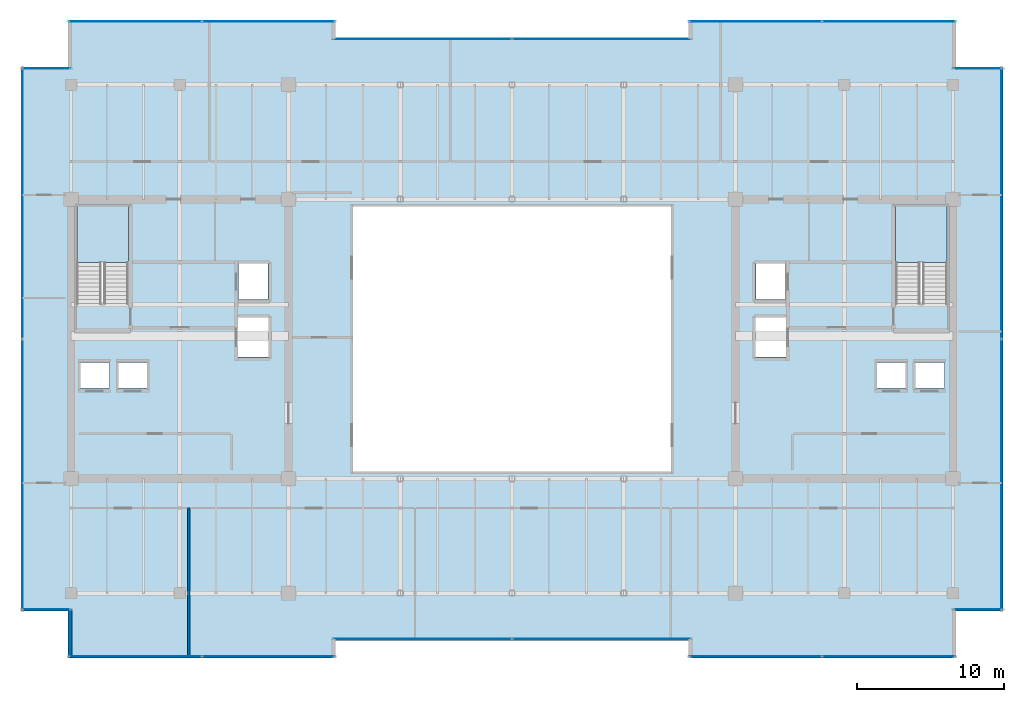
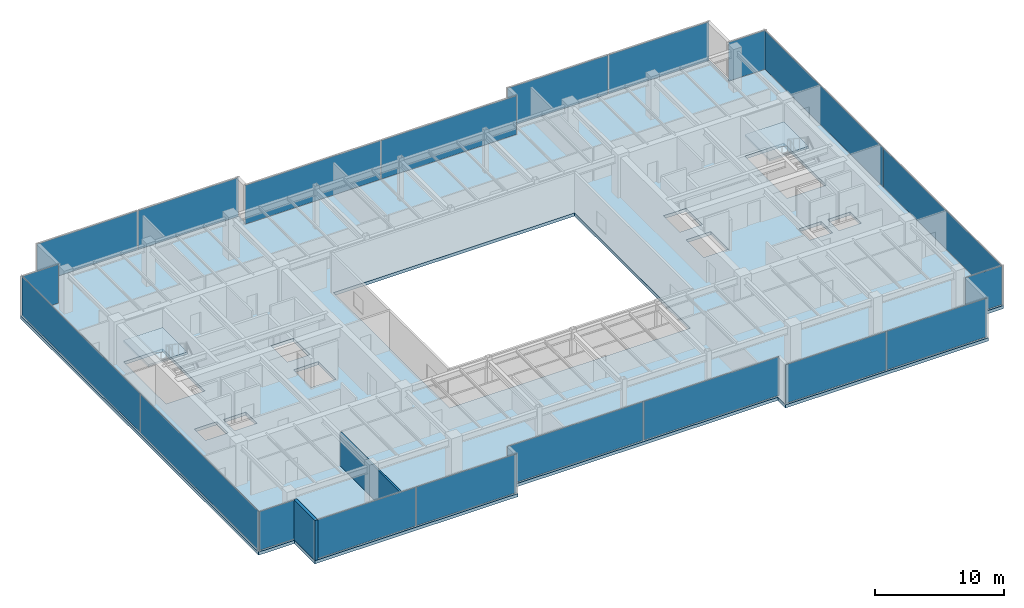
# One storey, part 27 of 33: 20 plates, 3 slabs, 2 walls, 14 elements without a shape of their own.
"""IFC4 building model written with IfcOpenShell, lengths in metres."""

import ifcopenshell
import ifcopenshell.guid

model = None  # the IFC model being written
_history = None  # IfcOwnerHistory: only IFC2X3 demands one
_inside = {}  # id of a spatial element -> (the spatial element, [elements in it])
_under = {}  # id of a project, library or spatial element -> (it, [spatial elements below it])
_declared = {}  # id of a project -> (the project, [libraries it declares])
_typed = {}  # id of a type object -> (the type object, [elements of that type])
_made_of = {}  # id of a material, layer set ... -> (it, [elements and type objects made of it])


def new_model(schema):
    """Start an empty IFC model of exactly this schema.

    Asked for "IFC4X3", IfcOpenShell would pick the latest addendum, in which some entities
    have other attributes; the version numbers below select the first issue.
    IFC2X3 requires an IfcOwnerHistory on every rooted entity: one is made here for all.
    """
    global model, _history
    if schema == "IFC4X3":
        model = ifcopenshell.file(schema_version=(4, 3, 0, 0))
    else:
        model = ifcopenshell.file(schema=schema)
    _inside.clear()
    _under.clear()
    _declared.clear()
    _typed.clear()
    _made_of.clear()
    _history = None
    if model.schema == "IFC2X3":
        org = make("IfcOrganization", Name="unknown")
        user = make(
            "IfcPersonAndOrganization",
            ThePerson=make("IfcPerson", FamilyName="unknown"),
            TheOrganization=org,
        )
        app = make(
            "IfcApplication",
            ApplicationDeveloper=org,
            Version="unknown",
            ApplicationFullName="unknown",
            ApplicationIdentifier="unknown",
        )
        _history = make(
            "IfcOwnerHistory",
            OwningUser=user,
            OwningApplication=app,
            ChangeAction="ADDED",
            CreationDate=0,
        )
    return model


def make(cls, **values):
    """One entity of the class cls with the attributes given. An attribute that is None is left unset."""
    return model.create_entity(
        cls, **{name: value for name, value in values.items() if value is not None}
    )


def rooted(cls, **values):
    """An entity with a GlobalId (a new one), such as an element, a storey or a relation."""
    return make(cls, GlobalId=ifcopenshell.guid.new(), OwnerHistory=_history, **values)


def si_unit(unit_type, name, prefix=None):
    """IfcSIUnit, for example si_unit("LENGTHUNIT", "METRE", prefix="MILLI")."""
    return make("IfcSIUnit", UnitType=unit_type, Prefix=prefix, Name=name)


def assignment(units):
    """IfcUnitAssignment: the units of a project."""
    return None if units is None else make("IfcUnitAssignment", Units=units)


def point(xyz):
    """IfcCartesianPoint."""
    return None if xyz is None else make("IfcCartesianPoint", Coordinates=xyz)


def direction(xyz):
    """IfcDirection."""
    return None if xyz is None else make("IfcDirection", DirectionRatios=xyz)


def frame(location, z_axis=None, x_axis=None):
    """IfcAxis2Placement3D, a coordinate frame: its origin and axes. An axis left out is left unset."""
    return make(
        "IfcAxis2Placement3D",
        Location=point(location),
        Axis=direction(z_axis),
        RefDirection=direction(x_axis),
    )


def frame_2d(location, x_axis=None):
    """IfcAxis2Placement2D, a coordinate frame in the plane: its origin and x axis."""
    return make(
        "IfcAxis2Placement2D", Location=point(location), RefDirection=direction(x_axis)
    )


def origin():
    """The frame at (0, 0, 0) with its axes left unset."""
    return frame((0.0, 0.0, 0.0))


def origin_2d():
    """The frame at (0, 0) in the plane with its x axis left unset."""
    return frame_2d((0.0, 0.0))


def place(relative_to, where):
    """IfcLocalPlacement: puts the frame where relative to a parent placement (None: the world)."""
    return make(
        "IfcLocalPlacement", PlacementRelTo=relative_to, RelativePlacement=where
    )


def context(
    kind, dimensions, precision=None, world=None, true_north=None, identifier=None
):
    """IfcGeometricRepresentationContext, for example the 3D "Model" context."""
    return make(
        "IfcGeometricRepresentationContext",
        ContextIdentifier=identifier,
        ContextType=kind,
        CoordinateSpaceDimension=dimensions,
        Precision=precision,
        WorldCoordinateSystem=world,
        TrueNorth=true_north,
    )


def subcontext(parent, identifier, kind, view, scale=None):
    """IfcGeometricRepresentationSubContext, for example "Body" below "Model"."""
    return make(
        "IfcGeometricRepresentationSubContext",
        ContextIdentifier=identifier,
        ContextType=kind,
        ParentContext=parent,
        TargetScale=scale,
        TargetView=view,
    )


def project(units=None, contexts=None):
    """IfcProject with its units and contexts."""
    return rooted(
        "IfcProject",
        Name="project",
        RepresentationContexts=contexts,
        UnitsInContext=assignment(units),
    )


def spatial(cls, under=None, at=None, **own):
    """A site, building, storey or space (cls), placed at a placement, below another one or the project."""
    s = rooted(cls, ObjectPlacement=at, **own)
    if under is not None:
        _under.setdefault(under.id(), (under, []))[1].append(s)
    return s


def polyline(points):
    """IfcPolyline through the points."""
    return make("IfcPolyline", Points=[point(p) for p in points])


def profile(cls, at=None, kind="AREA", **sizes):
    """A parametric profile (cls). Its sizes go by their IFC names, for example OverallWidth=200.0."""
    return make(cls, ProfileType=kind, Position=at, **sizes)


def rectangle(**sizes):
    """IfcRectangleProfileDef."""
    return profile("IfcRectangleProfileDef", **sizes)


def outline(outer, holes=None, kind="AREA"):
    """IfcArbitraryClosedProfileDef: a profile drawn as a closed curve; with holes, ...WithVoids."""
    if holes is None:
        return make("IfcArbitraryClosedProfileDef", ProfileType=kind, OuterCurve=outer)
    return make(
        "IfcArbitraryProfileDefWithVoids",
        ProfileType=kind,
        OuterCurve=outer,
        InnerCurves=holes,
    )


def extrude(swept, where, along, depth):
    """IfcExtrudedAreaSolid: the profile swept, set in the frame where, extruded along a direction by depth."""
    return make(
        "IfcExtrudedAreaSolid",
        SweptArea=swept,
        Position=where,
        ExtrudedDirection=direction(along),
        Depth=depth,
    )


def shape(context_of_items, identifier, shape_type, items):
    """IfcShapeRepresentation: the items that make up one representation, for example the "Body"."""
    return make(
        "IfcShapeRepresentation",
        ContextOfItems=context_of_items,
        RepresentationIdentifier=identifier,
        RepresentationType=shape_type,
        Items=items,
    )


def source(mapping_origin, context_of_items, identifier, shape_type, items):
    """IfcRepresentationMap: a shape defined once, which mapped items show again and again."""
    return make(
        "IfcRepresentationMap",
        MappingOrigin=mapping_origin,
        MappedRepresentation=shape(context_of_items, identifier, shape_type, items),
    )


def transform(
    local_origin,
    x_axis=None,
    y_axis=None,
    z_axis=None,
    scale=None,
    scale2=None,
    scale3=None,
    uniform=True,
):
    """IfcCartesianTransformationOperator3D, or its non-uniform kind. x_axis, y_axis, z_axis: its Axis1, 2, 3."""
    if uniform:
        return make(
            "IfcCartesianTransformationOperator3D",
            Axis1=direction(x_axis),
            Axis2=direction(y_axis),
            LocalOrigin=point(local_origin),
            Scale=scale,
            Axis3=direction(z_axis),
        )
    return make(
        "IfcCartesianTransformationOperator3DnonUniform",
        Axis1=direction(x_axis),
        Axis2=direction(y_axis),
        LocalOrigin=point(local_origin),
        Scale=scale,
        Axis3=direction(z_axis),
        Scale2=scale2,
        Scale3=scale3,
    )


def mapped(mapping_source, mapping_target):
    """IfcMappedItem: shows the shape of a source again, moved by a transform."""
    return make(
        "IfcMappedItem", MappingSource=mapping_source, MappingTarget=mapping_target
    )


def material(Name=None, Category=None):
    """IfcMaterial."""
    return make("IfcMaterial", Name=Name, Category=Category)


def layer(
    of_material, thickness, ventilated=None, Name=None, Category=None, Priority=None
):
    """IfcMaterialLayer: one layer of a wall or slab, of a material (None: an air gap)."""
    return make(
        "IfcMaterialLayer",
        Material=of_material,
        LayerThickness=thickness,
        IsVentilated=ventilated,
        Name=Name,
        Category=Category,
        Priority=Priority,
    )


def layer_set(layers, Name=None):
    """IfcMaterialLayerSet."""
    return make("IfcMaterialLayerSet", MaterialLayers=layers, LayerSetName=Name)


def made_of(thing, what):
    """Note that an element or type object is made of a material, layer set ...; save() writes the relation."""
    if what is not None:
        _made_of.setdefault(what.id(), (what, []))[1].append(thing)
    return thing


def type_object(cls, material=None, **own):
    """A type object (cls), such as IfcWallType, which elements share."""
    return made_of(rooted(cls, **own), material)


def type_shapes(of_type, sources):
    """Give a type object the sources (RepresentationMaps) that its elements show as mapped items."""
    of_type.RepresentationMaps = sources


def element(
    cls,
    number,
    at=None,
    inside=None,
    cuts=None,
    type_object=None,
    material=None,
    context=None,
    identifier="Body",
    shape_type=None,
    held_by="IfcProductDefinitionShape",
    body=None,
    shapes=None,
    **own,
):
    """One element of the class cls, such as IfcWall. Its Tag is "e" and its number.

    at: its placement. inside: the storey or other place that contains it. cuts: it is an
    opening in that element (IfcRelVoidsElement). A single representation is given by context,
    identifier, shape_type and body (its items); several are given by shapes. held_by: the class
    of the entity that holds the representations. save() writes the other relations.
    """
    e = rooted(cls, Tag="e%d" % number, ObjectPlacement=at, **own)
    if body is not None:
        shapes = [shape(context, identifier, shape_type, body)]
    if shapes is not None:
        e.Representation = make(held_by, Representations=shapes)
    if inside is not None:
        _inside.setdefault(inside.id(), (inside, []))[1].append(e)
    if cuts is not None:
        rooted(
            "IfcRelVoidsElement", RelatingBuildingElement=cuts, RelatedOpeningElement=e
        )
    if type_object is not None:
        _typed.setdefault(type_object.id(), (type_object, []))[1].append(e)
    return made_of(e, material)


def aggregate(whole, parts):
    """IfcRelAggregates: a whole, such as a stair, and the parts it consists of."""
    return rooted("IfcRelAggregates", RelatingObject=whole, RelatedObjects=parts)


def save(model, path):
    """Write the relations noted so far, then the file.

    IfcRelAggregates (storeys below a building ...), IfcRelContainedInSpatialStructure (elements
    in a storey), IfcRelDefinesByType, IfcRelAssociatesMaterial and IfcRelDeclares: one each for
    every whole, place, type object, material and project.
    """
    for whole, parts in _under.values():
        aggregate(whole, parts)
    for where, things in _inside.values():
        rooted(
            "IfcRelContainedInSpatialStructure",
            RelatedElements=things,
            RelatingStructure=where,
        )
    for kind, things in _typed.values():
        rooted("IfcRelDefinesByType", RelatedObjects=things, RelatingType=kind)
    for what, things in _made_of.values():
        rooted("IfcRelAssociatesMaterial", RelatedObjects=things, RelatingMaterial=what)
    for by, libraries in _declared.values():
        rooted("IfcRelDeclares", RelatingContext=by, RelatedDefinitions=libraries)
    model.write(path)


model = new_model("IFC4")

# Units and contexts
model_context = context("Model", 3, precision=1e-05, world=origin(), true_north=direction((0.0, 1.0)))
body_context = subcontext(model_context, "Body", "Model", "MODEL_VIEW")
ifc_project = project(units=[si_unit("LENGTHUNIT", "METRE"), si_unit("AREAUNIT", "SQUARE_METRE"), si_unit("VOLUMEUNIT", "CUBIC_METRE"), si_unit("PLANEANGLEUNIT", "RADIAN"), si_unit("MASSUNIT", "GRAM", prefix="KILO")], contexts=[model_context])

# Site, building, storey
site_placement = place(None, origin())
site = spatial("IfcSite", under=ifc_project, at=site_placement, CompositionType="ELEMENT")
building_placement = place(site_placement, origin())
building = spatial("IfcBuilding", under=site, at=building_placement, Name="Haelvirn Gate Laboratories", CompositionType="ELEMENT")
storey_placement = place(building_placement, frame((0.0, 0.0, 250.60009765625)))
storey = spatial("IfcBuildingStorey", under=building, at=storey_placement, Name="L60", CompositionType="ELEMENT", Elevation=250.60009765625)

# Stair, slab
ifc_material_1 = material(Name="Concrete C40/50", Category="concrete")
stair_type = type_object("IfcStairType", Name="ST-DOG-1650-R22", PredefinedType="HALF_TURN_STAIR", material=ifc_material_1)
stair_1_placement = place(storey_placement, origin())
stair_1 = element("IfcStair", 1, at=stair_1_placement, inside=storey, type_object=stair_type, Name="L60 Escape Stair ST1", PredefinedType="HALF_TURN_STAIR")
ifc_layer_1 = layer(ifc_material_1, 0.199951171875, Name="SL-STAIR-LND")
ifc_layer_set_1 = layer_set([ifc_layer_1], Name="Concrete C40/50")
slab_type_1 = type_object("IfcSlabType", Name="SL-STAIR-LND", PredefinedType="LANDING", material=ifc_layer_set_1)
slab_1_placement = place(storey_placement, frame((0.0, 0.0, 1.849853515625)))
slab_1 = element("IfcSlab", 2, at=slab_1_placement, type_object=slab_type_1, Name="ST1 landing 1", PredefinedType="LANDING", context=body_context, shape_type="SweptSolid", body=[
    extrude(outline(polyline([(11.300048828125, 29.5), (11.300048828125, 33.35009765625), (7.800048828125, 33.35009765625), (7.800048828125, 29.5), (11.300048828125, 29.5)])), origin(), (0.0, 0.0, 1.0), 0.199951171875),
])
aggregate(stair_1, [slab_1])

stair_2_placement = place(storey_placement, origin())
stair_2 = element("IfcStair", 3, at=stair_2_placement, inside=storey, type_object=stair_type, Name="L60 Escape Stair ST2", PredefinedType="HALF_TURN_STAIR")
slab_2_placement = place(storey_placement, frame((0.0, 0.0, 1.849853515625)))
slab_2 = element("IfcSlab", 4, at=slab_2_placement, type_object=slab_type_1, Name="ST2 landing 1", PredefinedType="LANDING", context=body_context, shape_type="SweptSolid", body=[
    extrude(outline(polyline([(67.0, 29.5), (67.0, 33.35009765625), (63.5, 33.35009765625), (63.5, 29.5), (67.0, 29.5)])), origin(), (0.0, 0.0, 1.0), 0.199951171875),
])
aggregate(stair_2, [slab_2])

# Slab
ifc_layer_2 = layer(ifc_material_1, 0.300048828125, Name="SL-Z3-300")
ifc_layer_set_2 = layer_set([ifc_layer_2], Name="Concrete C40/50")
slab_type_2 = type_object("IfcSlabType", Name="SL-Z3-300", PredefinedType="FLOOR", material=ifc_layer_set_2)
slab_3_placement = place(storey_placement, frame((0.0, 0.0, -0.300048828125)))
element("IfcSlab", 5, at=slab_3_placement, inside=storey, type_object=slab_type_2, Name="L60 Structural Slab MAIN", PredefinedType="FLOOR", context=body_context, shape_type="SweptSolid", body=[
    extrude(outline(polyline([(7.199951171875, 2.60009765625), (25.39990234375, 2.60009765625), (25.39990234375, 3.800048828125), (49.39990234375, 3.800048828125), (49.39990234375, 2.60009765625), (67.60009765625, 2.60009765625), (67.60009765625, 5.800048828125), (70.800048828125, 5.800048828125), (70.800048828125, 42.800048828125), (67.60009765625, 42.800048828125), (67.60009765625, 46.0), (49.39990234375, 46.0), (49.39990234375, 44.800048828125), (25.39990234375, 44.800048828125), (25.39990234375, 46.0), (7.199951171875, 46.0), (7.199951171875, 42.800048828125), (4.0, 42.800048828125), (4.0, 5.800048828125), (7.199951171875, 5.800048828125), (7.199951171875, 2.60009765625)]), holes=[polyline([(26.60009765625, 15.300048828125), (48.199951171875, 15.300048828125), (48.199951171875, 33.300048828125), (26.60009765625, 33.300048828125), (26.60009765625, 15.300048828125)]), polyline([(11.300048828125, 26.780029296875), (11.300048828125, 33.35009765625), (7.800048828125, 33.35009765625), (7.800048828125, 26.780029296875), (11.300048828125, 26.780029296875)]), polyline([(67.0, 26.780029296875), (67.0, 33.35009765625), (63.5, 33.35009765625), (63.5, 26.780029296875), (67.0, 26.780029296875)]), polyline([(7.989990234375, 20.969970703125), (10.010009765625, 20.969970703125), (10.010009765625, 22.7099609375), (7.989990234375, 22.7099609375), (7.989990234375, 20.969970703125)]), polyline([(10.590087890625, 20.969970703125), (12.610107421875, 20.969970703125), (12.610107421875, 22.7099609375), (10.590087890625, 22.7099609375), (10.590087890625, 20.969970703125)]), polyline([(18.7900390625, 26.969970703125), (20.81005859375, 26.969970703125), (20.81005859375, 29.510009765625), (18.7900390625, 29.510009765625), (18.7900390625, 26.969970703125)]), polyline([(18.68994140625, 23.070068359375), (20.909912109375, 23.070068359375), (20.909912109375, 25.81005859375), (18.68994140625, 25.81005859375), (18.68994140625, 23.070068359375)]), polyline([(64.7900390625, 20.969970703125), (66.81005859375, 20.969970703125), (66.81005859375, 22.7099609375), (64.7900390625, 22.7099609375), (64.7900390625, 20.969970703125)]), polyline([(62.18994140625, 20.969970703125), (64.2099609375, 20.969970703125), (64.2099609375, 22.7099609375), (62.18994140625, 22.7099609375), (62.18994140625, 20.969970703125)]), polyline([(53.989990234375, 26.969970703125), (56.010009765625, 26.969970703125), (56.010009765625, 29.510009765625), (53.989990234375, 29.510009765625), (53.989990234375, 26.969970703125)]), polyline([(53.889892578125, 23.070068359375), (56.110107421875, 23.070068359375), (56.110107421875, 25.81005859375), (53.889892578125, 25.81005859375), (53.889892578125, 23.070068359375)])]), origin(), (0.0, 0.0, 1.0), 0.300048828125),
])

# Curtain wall, plates
ifc_material_2 = material(Name="Anodised bronze unitised aluminium & triple low-E glass", Category="aluminium")
ifc_layer_3 = layer(ifc_material_2, 0.176025390625, Name="CW-SYS-4")
ifc_layer_set_3 = layer_set([ifc_layer_3], Name="Anodised bronze unitised aluminium & triple low-E glass")
curtain_wall_type_1 = type_object("IfcCurtainWallType", Name="CW-SYS-4", PredefinedType="NOTDEFINED", material=ifc_layer_set_3)
curtain_wall_1_placement = place(storey_placement, origin())
curtain_wall_1 = element("IfcCurtainWall", 6, at=curtain_wall_1_placement, inside=storey, type_object=curtain_wall_type_1, Name="L60 Unitised Curtain Wall CW-L60-P0-E00-1", PredefinedType="NOTDEFINED")
ifc_material_3 = material(Name="Acoustic laminated bronze triple IGU 36 mm", Category="glass")
ifc_layer_4 = layer(ifc_material_3, 0.035888671875, Name="CWP-IGU-36")
ifc_layer_set_4 = layer_set([ifc_layer_4], Name="Acoustic laminated bronze triple IGU 36 mm")
plate_type_1 = type_object("IfcPlateType", Name="CWP-IGU-36", PredefinedType="CURTAIN_PANEL", material=ifc_layer_set_4)
shared_shape_1 = source(origin(), body_context, "Body", "SweptSolid", [
    extrude(rectangle(XDim=8.9951171875, YDim=0.035888671875, at=origin_2d()), origin(), (0.0, 0.0, 1.0), 3.669921875),
])
plate_1_placement = place(storey_placement, frame((11.767578125, 2.699951171875, 0.06494140625), z_axis=(0.0, 0.0, 1.0), x_axis=(1.0, 0.0, 0.0)))
plate_1 = element("IfcPlate", 7, at=plate_1_placement, type_object=plate_type_1, Name="CW4 panel 1.1", PredefinedType="CURTAIN_PANEL", context=body_context, shape_type="MappedRepresentation", body=[
    mapped(shared_shape_1, transform((0.0, 0.0, 0.0), scale=1.0)),
])
plate_2_placement = place(storey_placement, frame((20.83251953125, 2.699951171875, 0.06494140625), z_axis=(0.0, 0.0, 1.0), x_axis=(1.0, 0.0, 0.0)))
plate_2 = element("IfcPlate", 8, at=plate_2_placement, type_object=plate_type_1, Name="CW4 panel 2.1", PredefinedType="CURTAIN_PANEL", context=body_context, shape_type="MappedRepresentation", body=[
    mapped(shared_shape_1, transform((0.0, 0.0, 0.0), scale=1.0)),
])
aggregate(curtain_wall_1, [plate_1, plate_2])

curtain_wall_2_placement = place(storey_placement, origin())
curtain_wall_2 = element("IfcCurtainWall", 9, at=curtain_wall_2_placement, inside=storey, type_object=curtain_wall_type_1, Name="L60 Unitised Curtain Wall CW-L60-P0-E04-1", PredefinedType="NOTDEFINED")
plate_3_placement = place(storey_placement, frame((53.967529296875, 2.699951171875, 0.06494140625), z_axis=(0.0, 0.0, 1.0), x_axis=(1.0, 0.0, 0.0)))
plate_3 = element("IfcPlate", 10, at=plate_3_placement, type_object=plate_type_1, Name="CW4 panel 1.1", PredefinedType="CURTAIN_PANEL", context=body_context, shape_type="MappedRepresentation", body=[
    mapped(shared_shape_1, transform((0.0, 0.0, 0.0), scale=1.0)),
])
plate_4_placement = place(storey_placement, frame((63.032470703125, 2.699951171875, 0.06494140625), z_axis=(0.0, 0.0, 1.0), x_axis=(1.0, 0.0, 0.0)))
plate_4 = element("IfcPlate", 11, at=plate_4_placement, type_object=plate_type_1, Name="CW4 panel 2.1", PredefinedType="CURTAIN_PANEL", context=body_context, shape_type="MappedRepresentation", body=[
    mapped(shared_shape_1, transform((0.0, 0.0, 0.0), scale=1.0)),
])
aggregate(curtain_wall_2, [plate_3, plate_4])

curtain_wall_3_placement = place(storey_placement, origin())
curtain_wall_3 = element("IfcCurtainWall", 12, at=curtain_wall_3_placement, inside=storey, type_object=curtain_wall_type_1, Name="L60 Unitised Curtain Wall CW-L60-P0-E10-1", PredefinedType="NOTDEFINED")
plate_5_placement = place(storey_placement, frame((53.967529296875, 45.89990234375, 0.06494140625), z_axis=(0.0, 0.0, 1.0), x_axis=(1.0, 0.0, 0.0)))
plate_5 = element("IfcPlate", 13, at=plate_5_placement, type_object=plate_type_1, Name="CW4 panel 1.1", PredefinedType="CURTAIN_PANEL", context=body_context, shape_type="MappedRepresentation", body=[
    mapped(shared_shape_1, transform((0.0, 0.0, 0.0), scale=1.0)),
])
plate_6_placement = place(storey_placement, frame((63.032470703125, 45.89990234375, 0.06494140625), z_axis=(0.0, 0.0, 1.0), x_axis=(1.0, 0.0, 0.0)))
plate_6 = element("IfcPlate", 14, at=plate_6_placement, type_object=plate_type_1, Name="CW4 panel 2.1", PredefinedType="CURTAIN_PANEL", context=body_context, shape_type="MappedRepresentation", body=[
    mapped(shared_shape_1, transform((0.0, 0.0, 0.0), scale=1.0)),
])
aggregate(curtain_wall_3, [plate_5, plate_6])

curtain_wall_4_placement = place(storey_placement, origin())
curtain_wall_4 = element("IfcCurtainWall", 15, at=curtain_wall_4_placement, inside=storey, type_object=curtain_wall_type_1, Name="L60 Unitised Curtain Wall CW-L60-P0-E14-1", PredefinedType="NOTDEFINED")
plate_7_placement = place(storey_placement, frame((11.767578125, 45.89990234375, 0.06494140625), z_axis=(0.0, 0.0, 1.0), x_axis=(1.0, 0.0, 0.0)))
plate_7 = element("IfcPlate", 16, at=plate_7_placement, type_object=plate_type_1, Name="CW4 panel 1.1", PredefinedType="CURTAIN_PANEL", context=body_context, shape_type="MappedRepresentation", body=[
    mapped(shared_shape_1, transform((0.0, 0.0, 0.0), scale=1.0)),
])
plate_8_placement = place(storey_placement, frame((20.83251953125, 45.89990234375, 0.06494140625), z_axis=(0.0, 0.0, 1.0), x_axis=(1.0, 0.0, 0.0)))
plate_8 = element("IfcPlate", 17, at=plate_8_placement, type_object=plate_type_1, Name="CW4 panel 2.1", PredefinedType="CURTAIN_PANEL", context=body_context, shape_type="MappedRepresentation", body=[
    mapped(shared_shape_1, transform((0.0, 0.0, 0.0), scale=1.0)),
])
aggregate(curtain_wall_4, [plate_7, plate_8])

curtain_wall_5_placement = place(storey_placement, origin())
curtain_wall_5 = element("IfcCurtainWall", 18, at=curtain_wall_5_placement, inside=storey, type_object=curtain_wall_type_1, Name="L60 Unitised Curtain Wall CW-L60-P0-E02-1", PredefinedType="NOTDEFINED")
shared_shape_2 = source(origin(), body_context, "Body", "SweptSolid", [
    extrude(rectangle(XDim=12.135009765625, YDim=0.035888671875, at=origin_2d()), origin(), (0.0, 0.0, 1.0), 3.669921875),
])
plate_9_placement = place(storey_placement, frame((31.297607421875, 3.89990234375, 0.06494140625), z_axis=(0.0, 0.0, 1.0), x_axis=(1.0, 0.0, 0.0)))
plate_9 = element("IfcPlate", 19, at=plate_9_placement, type_object=plate_type_1, Name="CW4 panel 1.1", PredefinedType="CURTAIN_PANEL", context=body_context, shape_type="MappedRepresentation", body=[
    mapped(shared_shape_2, transform((0.0, 0.0, 0.0), scale=1.0)),
])
plate_10_placement = place(storey_placement, frame((43.50244140625, 3.89990234375, 0.06494140625), z_axis=(0.0, 0.0, 1.0), x_axis=(1.0, 0.0, 0.0)))
plate_10 = element("IfcPlate", 20, at=plate_10_placement, type_object=plate_type_1, Name="CW4 panel 2.1", PredefinedType="CURTAIN_PANEL", context=body_context, shape_type="MappedRepresentation", body=[
    mapped(shared_shape_2, transform((0.0, 0.0, 0.0), scale=1.0)),
])
aggregate(curtain_wall_5, [plate_9, plate_10])

curtain_wall_6_placement = place(storey_placement, origin())
curtain_wall_6 = element("IfcCurtainWall", 21, at=curtain_wall_6_placement, inside=storey, type_object=curtain_wall_type_1, Name="L60 Unitised Curtain Wall CW-L60-P0-E12-1", PredefinedType="NOTDEFINED")
plate_11_placement = place(storey_placement, frame((31.297607421875, 44.699951171875, 0.06494140625), z_axis=(0.0, 0.0, 1.0), x_axis=(1.0, 0.0, 0.0)))
plate_11 = element("IfcPlate", 22, at=plate_11_placement, type_object=plate_type_1, Name="CW4 panel 1.1", PredefinedType="CURTAIN_PANEL", context=body_context, shape_type="MappedRepresentation", body=[
    mapped(shared_shape_2, transform((0.0, 0.0, 0.0), scale=1.0)),
])
plate_12_placement = place(storey_placement, frame((43.50244140625, 44.699951171875, 0.06494140625), z_axis=(0.0, 0.0, 1.0), x_axis=(1.0, 0.0, 0.0)))
plate_12 = element("IfcPlate", 23, at=plate_12_placement, type_object=plate_type_1, Name="CW4 panel 2.1", PredefinedType="CURTAIN_PANEL", context=body_context, shape_type="MappedRepresentation", body=[
    mapped(shared_shape_2, transform((0.0, 0.0, 0.0), scale=1.0)),
])
aggregate(curtain_wall_6, [plate_11, plate_12])

# Curtain wall, plate
ifc_layer_5 = layer(ifc_material_2, 0.181884765625, Name="CW-SYS-5")
ifc_layer_set_5 = layer_set([ifc_layer_5], Name="Anodised bronze unitised aluminium & triple low-E glass")
curtain_wall_type_2 = type_object("IfcCurtainWallType", Name="CW-SYS-5", PredefinedType="NOTDEFINED", material=ifc_layer_set_5)
curtain_wall_7_placement = place(storey_placement, origin())
curtain_wall_7 = element("IfcCurtainWall", 24, at=curtain_wall_7_placement, inside=storey, type_object=curtain_wall_type_2, Name="L60 Unitised Curtain Wall CW-L60-P0-E06-1", PredefinedType="NOTDEFINED")
ifc_material_4 = material(Name="Clear low-iron notched-corner triple IGU 42 mm", Category="glass")
ifc_layer_6 = layer(ifc_material_4, 0.0419921875, Name="CWP-NTC-42")
ifc_layer_set_6 = layer_set([ifc_layer_6], Name="Clear low-iron notched-corner triple IGU 42 mm")
plate_type_2 = type_object("IfcPlateType", Name="CWP-NTC-42", PredefinedType="CURTAIN_PANEL", material=ifc_layer_set_6)
shared_shape_3 = source(origin(), body_context, "Body", "SweptSolid", [
    extrude(rectangle(XDim=3.280029296875, YDim=0.0419921875, at=origin_2d()), origin(), (0.0, 0.0, 1.0), 3.669921875),
])
type_shapes(plate_type_2, [shared_shape_3])
plate_13_placement = place(storey_placement, frame((69.080078125, 5.89990234375, 0.06494140625), z_axis=(0.0, 0.0, 1.0), x_axis=(1.0, 0.0, 0.0)))
plate_13 = element("IfcPlate", 25, at=plate_13_placement, type_object=plate_type_2, Name="CW5 panel 1.1", PredefinedType="CURTAIN_PANEL", context=body_context, shape_type="MappedRepresentation", body=[
    mapped(shared_shape_3, transform((0.0, 0.0, 0.0), scale=1.0)),
])
aggregate(curtain_wall_7, [plate_13])

curtain_wall_8_placement = place(storey_placement, origin())
curtain_wall_8 = element("IfcCurtainWall", 26, at=curtain_wall_8_placement, inside=storey, type_object=curtain_wall_type_2, Name="L60 Unitised Curtain Wall CW-L60-P0-E08-1", PredefinedType="NOTDEFINED")
plate_14_placement = place(storey_placement, frame((69.080078125, 42.699951171875, 0.06494140625), z_axis=(0.0, 0.0, 1.0), x_axis=(1.0, 0.0, 0.0)))
plate_14 = element("IfcPlate", 27, at=plate_14_placement, type_object=plate_type_2, Name="CW5 panel 1.1", PredefinedType="CURTAIN_PANEL", context=body_context, shape_type="MappedRepresentation", body=[
    mapped(shared_shape_3, transform((0.0, 0.0, 0.0), scale=1.0)),
])
aggregate(curtain_wall_8, [plate_14])

curtain_wall_9_placement = place(storey_placement, origin())
curtain_wall_9 = element("IfcCurtainWall", 28, at=curtain_wall_9_placement, inside=storey, type_object=curtain_wall_type_2, Name="L60 Unitised Curtain Wall CW-L60-P0-E16-1", PredefinedType="NOTDEFINED")
plate_15_placement = place(storey_placement, frame((5.719970703125, 42.699951171875, 0.06494140625), z_axis=(0.0, 0.0, 1.0), x_axis=(1.0, 0.0, 0.0)))
plate_15 = element("IfcPlate", 29, at=plate_15_placement, type_object=plate_type_2, Name="CW5 panel 1.1", PredefinedType="CURTAIN_PANEL", context=body_context, shape_type="MappedRepresentation", body=[
    mapped(shared_shape_3, transform((0.0, 0.0, 0.0), scale=1.0)),
])
aggregate(curtain_wall_9, [plate_15])

curtain_wall_10_placement = place(storey_placement, origin())
curtain_wall_10 = element("IfcCurtainWall", 30, at=curtain_wall_10_placement, inside=storey, type_object=curtain_wall_type_2, Name="L60 Unitised Curtain Wall CW-L60-P0-E18-1", PredefinedType="NOTDEFINED")
plate_16_placement = place(storey_placement, frame((5.719970703125, 5.89990234375, 0.06494140625), z_axis=(0.0, 0.0, 1.0), x_axis=(1.0, 0.0, 0.0)))
plate_16 = element("IfcPlate", 31, at=plate_16_placement, type_object=plate_type_2, Name="CW5 panel 1.1", PredefinedType="CURTAIN_PANEL", context=body_context, shape_type="MappedRepresentation", body=[
    mapped(shared_shape_3, transform((0.0, 0.0, 0.0), scale=1.0)),
])
aggregate(curtain_wall_10, [plate_16])

# Curtain wall, plates
curtain_wall_11_placement = place(storey_placement, origin())
curtain_wall_11 = element("IfcCurtainWall", 32, at=curtain_wall_11_placement, inside=storey, type_object=curtain_wall_type_1, Name="L60 Unitised Curtain Wall CW-L60-P0-E07", PredefinedType="NOTDEFINED")
shared_shape_4 = source(origin(), body_context, "Body", "SweptSolid", [
    extrude(rectangle(XDim=18.39501953125, YDim=0.035888671875, at=origin_2d()), origin(), (0.0, 0.0, 1.0), 3.669921875),
])
type_shapes(plate_type_1, [shared_shape_1, shared_shape_2, shared_shape_4])
plate_17_placement = place(storey_placement, frame((70.699951171875, 15.0673828125, 0.06494140625), z_axis=(0.0, 0.0, 1.0), x_axis=(0.0, 1.0, 0.0)))
plate_17 = element("IfcPlate", 33, at=plate_17_placement, type_object=plate_type_1, Name="CW4 panel 1.1", PredefinedType="CURTAIN_PANEL", context=body_context, shape_type="MappedRepresentation", body=[
    mapped(shared_shape_4, transform((0.0, 0.0, 0.0), scale=1.0)),
])
plate_18_placement = place(storey_placement, frame((70.699951171875, 33.532470703125, 0.06494140625), z_axis=(0.0, 0.0, 1.0), x_axis=(0.0, 1.0, 0.0)))
plate_18 = element("IfcPlate", 34, at=plate_18_placement, type_object=plate_type_1, Name="CW4 panel 2.1", PredefinedType="CURTAIN_PANEL", context=body_context, shape_type="MappedRepresentation", body=[
    mapped(shared_shape_4, transform((0.0, 0.0, 0.0), scale=1.0)),
])
aggregate(curtain_wall_11, [plate_17, plate_18])

curtain_wall_12_placement = place(storey_placement, origin())
curtain_wall_12 = element("IfcCurtainWall", 35, at=curtain_wall_12_placement, inside=storey, type_object=curtain_wall_type_1, Name="L60 Unitised Curtain Wall CW-L60-P0-E17", PredefinedType="NOTDEFINED")
plate_19_placement = place(storey_placement, frame((4.10009765625, 33.532470703125, 0.06494140625), z_axis=(0.0, 0.0, 1.0), x_axis=(0.0, -1.0, 0.0)))
plate_19 = element("IfcPlate", 36, at=plate_19_placement, type_object=plate_type_1, Name="CW4 panel 1.1", PredefinedType="CURTAIN_PANEL", context=body_context, shape_type="MappedRepresentation", body=[
    mapped(shared_shape_4, transform((0.0, 0.0, 0.0), scale=1.0)),
])
plate_20_placement = place(storey_placement, frame((4.10009765625, 15.0673828125, 0.06494140625), z_axis=(0.0, 0.0, 1.0), x_axis=(0.0, -1.0, 0.0)))
plate_20 = element("IfcPlate", 37, at=plate_20_placement, type_object=plate_type_1, Name="CW4 panel 2.1", PredefinedType="CURTAIN_PANEL", context=body_context, shape_type="MappedRepresentation", body=[
    mapped(shared_shape_4, transform((0.0, 0.0, 0.0), scale=1.0)),
])
aggregate(curtain_wall_12, [plate_19, plate_20])

# Walls
ifc_material_5 = material(Name="Thermally-broken bronze aluminium rainscreen & mineral wool", Category="aluminium")
ifc_layer_7 = layer(ifc_material_5, 0.280029296875, Name="EW-TERR-280")
ifc_layer_set_7 = layer_set([ifc_layer_7], Name="Thermally-broken bronze aluminium rainscreen & mineral wool")
wall_type_1 = type_object("IfcWallType", Name="EW-TERR-280", PredefinedType="STANDARD", material=ifc_layer_set_7)
wall_1_placement = place(storey_placement, frame((7.340087890625, 5.887939453125, 0.0), z_axis=(0.0, 0.0, 1.0), x_axis=(0.0, -1.0, 0.0)))
element("IfcWall", 38, at=wall_1_placement, inside=storey, type_object=wall_type_1, Name="L60 Atrium Recess Bronze Return Wall 19", PredefinedType="STANDARD", context=body_context, shape_type="SweptSolid", body=[
    extrude(rectangle(XDim=3.287841796875, YDim=0.280029296875, at=frame_2d((1.64404296875, 0.0))), origin(), (0.0, 0.0, 1.0), 3.7998046875),
])
ifc_material_6 = material(Name="Double-layer acoustic gypsum laboratory partition", Category="gypsum")
ifc_layer_8 = layer(ifc_material_6, 0.159912109375, Name="IW-ACOUST-160")
ifc_layer_set_8 = layer_set([ifc_layer_8], Name="Double-layer acoustic gypsum laboratory partition")
wall_type_2 = type_object("IfcWallType", Name="IW-ACOUST-160", PredefinedType="PARTITIONING", material=ifc_layer_set_8)
wall_2_placement = place(storey_placement, frame((15.39990234375, 2.7099609375, 0.0), z_axis=(0.0, 0.0, 1.0), x_axis=(0.0, 1.0, 0.0)))
element("IfcWall", 39, at=wall_2_placement, inside=storey, type_object=wall_type_2, Name="L60 Interior Wall IW-L60-SDIV-01", PredefinedType="PARTITIONING", context=body_context, shape_type="SweptSolid", body=[
    extrude(rectangle(XDim=10.080078125, YDim=0.159912109375, at=frame_2d((5.0400390625, 0.0))), origin(), (0.0, 0.0, 1.0), 3.135009765625),
])

save(model, "model.ifc")
